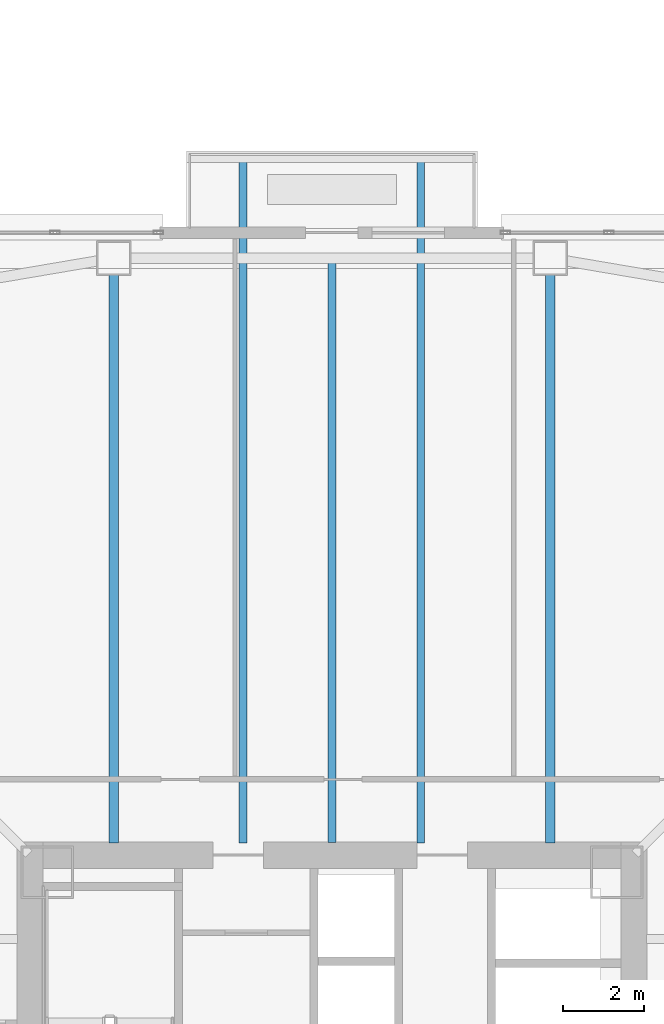
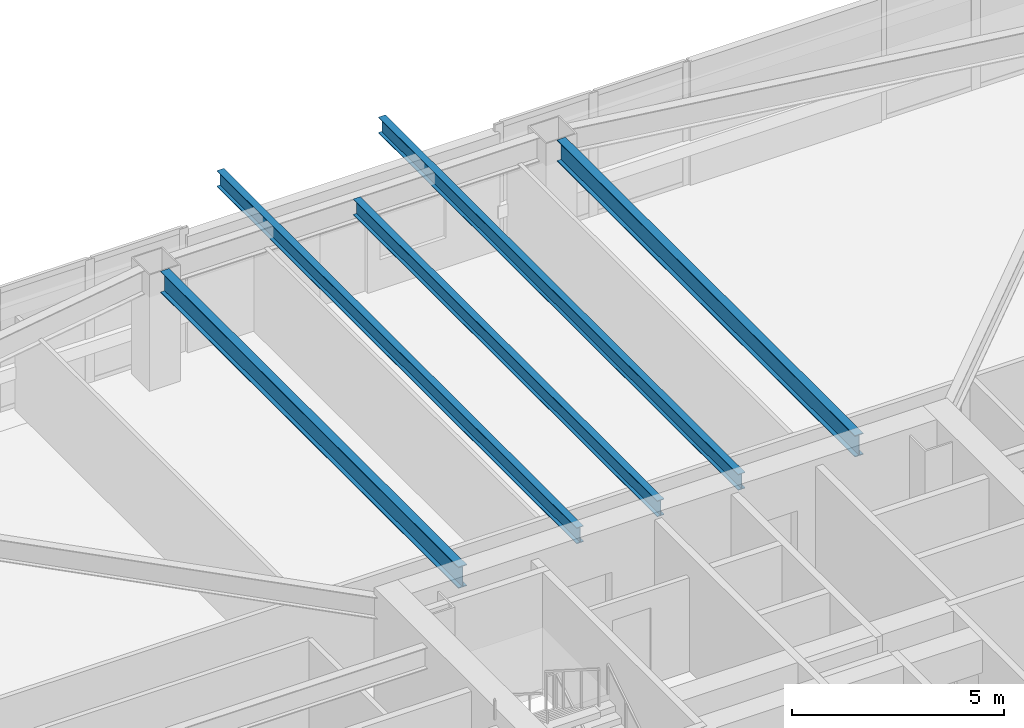
# One storey, part 14 of 51: 5 beams.
"""IFC4 building model written with IfcOpenShell, lengths in metres."""

from ifc_helpers import new_model, si_unit, direction, frame, origin, origin_2d, place, context, subcontext, project, spatial, i_section, extrude, material, material_profile, profile_set, type_object, element, save


model = new_model("IFC4")

# Units and contexts
model_context = context("Model", 3, precision=1e-05, world=origin(), true_north=direction((0.0, 1.0)))
body_context = subcontext(model_context, "Body", "Model", "MODEL_VIEW")
ifc_project = project(units=[si_unit("LENGTHUNIT", "METRE"), si_unit("AREAUNIT", "SQUARE_METRE"), si_unit("VOLUMEUNIT", "CUBIC_METRE"), si_unit("PLANEANGLEUNIT", "RADIAN"), si_unit("MASSUNIT", "GRAM", prefix="KILO")], contexts=[model_context])

# Site, building, storey
site_placement = place(None, origin())
site = spatial("IfcSite", under=ifc_project, at=site_placement, CompositionType="ELEMENT")
building_placement = place(site_placement, origin())
building = spatial("IfcBuilding", under=site, at=building_placement, Name="Tashvorn Skyway Center", CompositionType="ELEMENT")
storey_placement = place(building_placement, frame((0.0, 0.0, 49.449951171875)))
storey = spatial("IfcBuildingStorey", under=building, at=storey_placement, Name="L12", CompositionType="ELEMENT", Elevation=49.449951171875)

# Beams
ifc_material = material(Name="Steel ASTM A992 Grade 50", Category="steel")
ifc_material_profile_1 = material_profile(ifc_material, i_section(OverallWidth=0.22998046875, OverallDepth=0.616943359375, WebThickness=0.01318359375, FlangeThickness=0.022216796875, at=origin_2d()), Name="W24X94")
ifc_profile_set_1 = profile_set([ifc_material_profile_1], Name="Steel ASTM A992 Grade 50")
beam_type_1 = type_object("IfcBeamType", Name="BM-BEAM-W24X94", PredefinedType="BEAM", material=ifc_profile_set_1)
for number, where, z_axis, x_axis, name in (
    (1, (47.39990234375, 53.830078125, 3.04150390625), (0.0, -1.0, 0.0), (1.0, 0.0, 0.0), "Tower 1 L12 Primary Floor Girder FC-N1"),
    (2, (36.60009765625, 53.830078125, 3.04150390625), (0.0, -1.0, 0.0), (1.0, 0.0, 0.0), "Tower 1 L12 Primary Floor Girder FC-N2"),
):
    element("IfcBeam", number, at=place(storey_placement, frame(where, z_axis=z_axis, x_axis=x_axis)), inside=storey, type_object=beam_type_1, Name=name, PredefinedType="BEAM", context=body_context, shape_type="SweptSolid", body=[
        extrude(i_section(OverallWidth=0.22998046875, OverallDepth=0.616943359375, WebThickness=0.01318359375, FlangeThickness=0.022216796875, at=origin_2d()), origin(), (0.0, 0.0, 1.0), 14.050048828125),
    ])
ifc_material_profile_2 = material_profile(ifc_material, i_section(OverallWidth=0.19091796875, OverallDepth=0.4599609375, WebThickness=0.010009765625, FlangeThickness=0.01611328125, at=origin_2d()), Name="W18X55")
ifc_profile_set_2 = profile_set([ifc_material_profile_2], Name="Steel ASTM A992 Grade 50")
beam_type_2 = type_object("IfcBeamType", Name="BM-JOIST-W18X55", PredefinedType="JOIST", material=ifc_profile_set_2)
beam_placement = place(storey_placement, frame((42.0, 39.7900390625, 3.1201171875), z_axis=(0.0, 1.0, 0.0), x_axis=(-1.0, 0.0, 0.0)))
element("IfcBeam", 3, at=beam_placement, inside=storey, type_object=beam_type_2, Name="Tower 1 L12 Secondary Composite Joist JN", PredefinedType="JOIST", context=body_context, shape_type="SweptSolid", body=[
    extrude(i_section(OverallWidth=0.19091796875, OverallDepth=0.4599609375, WebThickness=0.010009765625, FlangeThickness=0.01611328125, at=origin_2d()), origin(), (0.0, 0.0, 1.0), 14.33984375),
])
for number, where, z_axis, x_axis, name in (
    (4, (39.800048828125, 39.780029296875, 3.1201171875), (0.0, 1.0, 0.0), (-1.0, 0.0, 0.0), "Tower 1 L13 Terrace Cantilever Outlooker 1"),
    (5, (44.199951171875, 39.780029296875, 3.1201171875), (0.0, 1.0, 0.0), (-1.0, 0.0, 0.0), "Tower 1 L13 Terrace Cantilever Outlooker 2"),
):
    element("IfcBeam", number, at=place(storey_placement, frame(where, z_axis=z_axis, x_axis=x_axis)), inside=storey, type_object=beam_type_2, Name=name, PredefinedType="JOIST", context=body_context, shape_type="SweptSolid", body=[
        extrude(i_section(OverallWidth=0.19091796875, OverallDepth=0.4599609375, WebThickness=0.010009765625, FlangeThickness=0.01611328125, at=origin_2d()), origin(), (0.0, 0.0, 1.0), 16.969970703125),
    ])

save(model, "model.ifc")
